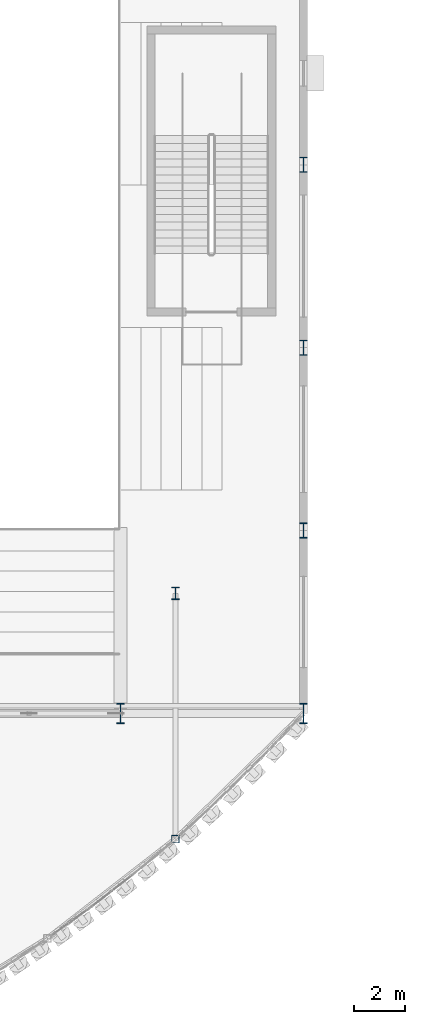
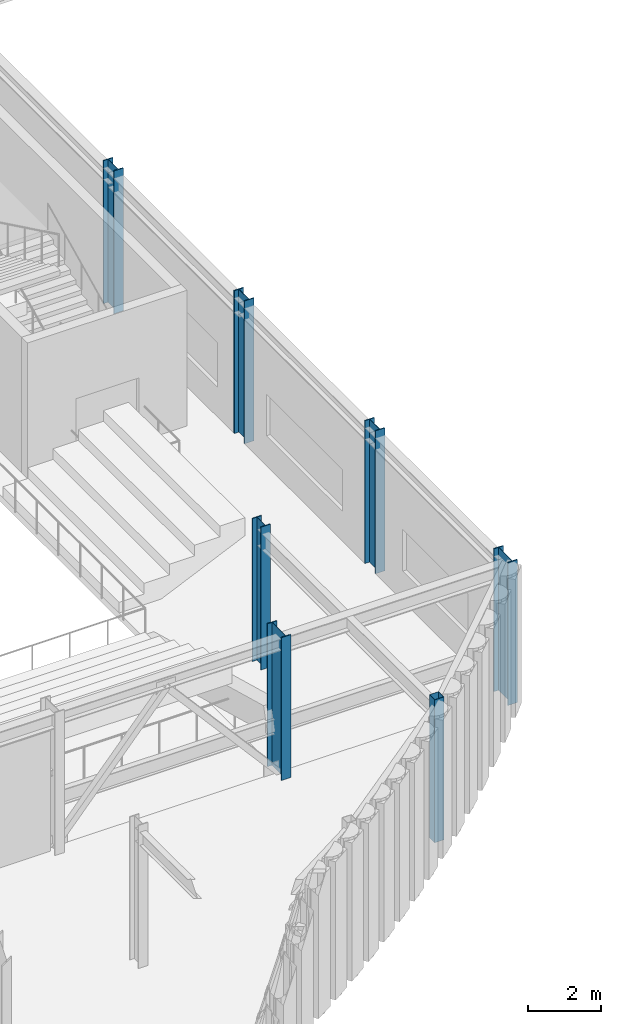
# One storey, part 14 of 121: 7 columns.
"""IFC4 building model written with IfcOpenShell, lengths in metres."""

from ifc_helpers import new_model, si_unit, direction, frame, origin, origin_2d, place, context, subcontext, project, spatial, hollow_rectangle, i_section, extrude, material, material_profile, profile_set, type_object, element, save


model = new_model("IFC4")

# Units and contexts
model_context = context("Model", 3, precision=1e-05, world=origin(), true_north=direction((0.0, 1.0)))
body_context = subcontext(model_context, "Body", "Model", "MODEL_VIEW")
ifc_project = project(units=[si_unit("LENGTHUNIT", "METRE"), si_unit("AREAUNIT", "SQUARE_METRE"), si_unit("VOLUMEUNIT", "CUBIC_METRE"), si_unit("PLANEANGLEUNIT", "RADIAN"), si_unit("MASSUNIT", "GRAM", prefix="KILO")], contexts=[model_context])

# Site, building, storey
site_placement = place(None, origin())
site = spatial("IfcSite", under=ifc_project, at=site_placement, CompositionType="ELEMENT")
building_placement = place(site_placement, origin())
building = spatial("IfcBuilding", under=site, at=building_placement, Name="Solvadek Multi-Sports Hall", CompositionType="ELEMENT")
storey_placement = place(building_placement, frame((0.0, 0.0, 4.800048828125)))
storey = spatial("IfcBuildingStorey", under=building, at=storey_placement, Name="L01", CompositionType="ELEMENT", Elevation=4.800048828125)

# Columns
ifc_material = material(Name="Steel E350 (350 MPa)", Category="steel")
ifc_material_profile_1 = material_profile(ifc_material, hollow_rectangle(XDim=0.300048828125, YDim=0.300048828125, WallThickness=0.012451171875, at=origin_2d()), Name="SHS 300x300x12.5")
ifc_profile_set_1 = profile_set([ifc_material_profile_1], Name="Steel E350 (350 MPa)")
column_type_1 = type_object("IfcColumnType", Name="STR-COL-SHS300", PredefinedType="COLUMN", material=ifc_profile_set_1)
column_1_placement = place(storey_placement, frame((131.760009765625, 1.05615234375, 0.0), z_axis=(0.0, 0.0, 1.0), x_axis=(1.0, 0.0, 0.0)))
element("IfcColumn", 1, at=column_1_placement, inside=storey, type_object=column_type_1, Name="L01 Column C-10 #307", PredefinedType="COLUMN", context=body_context, shape_type="SweptSolid", body=[
    extrude(hollow_rectangle(XDim=0.300048828125, YDim=0.300048828125, WallThickness=0.012451171875, at=origin_2d()), origin(), (0.0, 0.0, 1.0), 4.800048828125),
])
ifc_material_profile_2 = material_profile(ifc_material, i_section(OverallWidth=0.300048828125, OverallDepth=0.5, WebThickness=0.014404296875, FlangeThickness=0.028076171875, at=origin_2d()), Name="WPB 500")
ifc_profile_set_2 = profile_set([ifc_material_profile_2], Name="Steel E350 (350 MPa)")
column_type_2 = type_object("IfcColumnType", Name="STR-COL-WPB500", PredefinedType="COLUMN", material=ifc_profile_set_2)
column_2_placement = place(storey_placement, frame((131.760009765625, 10.72802734375, 0.0), z_axis=(0.0, 0.0, 1.0), x_axis=(1.0, 0.0, 0.0)))
element("IfcColumn", 2, at=column_2_placement, inside=storey, type_object=column_type_2, Name="L01 Column C-05 #308", PredefinedType="COLUMN", context=body_context, shape_type="SweptSolid", body=[
    extrude(i_section(OverallWidth=0.300048828125, OverallDepth=0.5, WebThickness=0.014404296875, FlangeThickness=0.028076171875, at=origin_2d()), origin(), (0.0, 0.0, 1.0), 4.800048828125),
])
ifc_material_profile_3 = material_profile(ifc_material, i_section(OverallWidth=0.300048828125, OverallDepth=0.60009765625, WebThickness=0.015380859375, FlangeThickness=0.030029296875, at=origin_2d()), Name="WPB 600")
ifc_profile_set_3 = profile_set([ifc_material_profile_3], Name="Steel E350 (350 MPa)")
column_type_3 = type_object("IfcColumnType", Name="STR-COL-WPB600", PredefinedType="COLUMN", material=ifc_profile_set_3)
for number, where, z_axis, x_axis, name in (
    (3, (136.800048828125, 13.199951171875, 0.0), (0.0, 0.0, 1.0), (1.0, 0.0, 0.0), "L01 Column C-03 #237"),
    (4, (136.800048828125, 20.39990234375, 0.0), (0.0, 0.0, 1.0), (1.0, 0.0, 0.0), "L01 Column C-03 #238"),
    (5, (136.800048828125, 27.60009765625, 0.0), (0.0, 0.0, 1.0), (1.0, 0.0, 0.0), "L01 Column C-03 #239"),
):
    element("IfcColumn", number, at=place(storey_placement, frame(where, z_axis=z_axis, x_axis=x_axis)), inside=storey, type_object=column_type_3, Name=name, PredefinedType="COLUMN", context=body_context, shape_type="SweptSolid", body=[
        extrude(i_section(OverallWidth=0.300048828125, OverallDepth=0.60009765625, WebThickness=0.015380859375, FlangeThickness=0.030029296875, at=origin_2d()), origin(), (0.0, 0.0, 1.0), 4.800048828125),
    ])
ifc_material_profile_4 = material_profile(ifc_material, i_section(OverallWidth=0.300048828125, OverallDepth=0.800048828125, WebThickness=0.017578125, FlangeThickness=0.032958984375, at=origin_2d()), Name="WPB 800")
ifc_profile_set_4 = profile_set([ifc_material_profile_4], Name="Steel E350 (350 MPa)")
column_type_4 = type_object("IfcColumnType", Name="STR-COL-WPB800", PredefinedType="COLUMN", material=ifc_profile_set_4)
for number, where, z_axis, x_axis, name in (
    (6, (129.60009765625, 6.0, 0.0), (0.0, 0.0, 1.0), (1.0, 0.0, 0.0), "L01 Column C-01 #230"),
    (7, (136.800048828125, 6.0, 0.0), (0.0, 0.0, 1.0), (1.0, 0.0, 0.0), "L01 Column C-01 #236"),
):
    element("IfcColumn", number, at=place(storey_placement, frame(where, z_axis=z_axis, x_axis=x_axis)), inside=storey, type_object=column_type_4, Name=name, PredefinedType="COLUMN", context=body_context, shape_type="SweptSolid", body=[
        extrude(i_section(OverallWidth=0.300048828125, OverallDepth=0.800048828125, WebThickness=0.017578125, FlangeThickness=0.032958984375, at=origin_2d()), origin(), (0.0, 0.0, 1.0), 4.800048828125),
    ])

save(model, "model.ifc")
